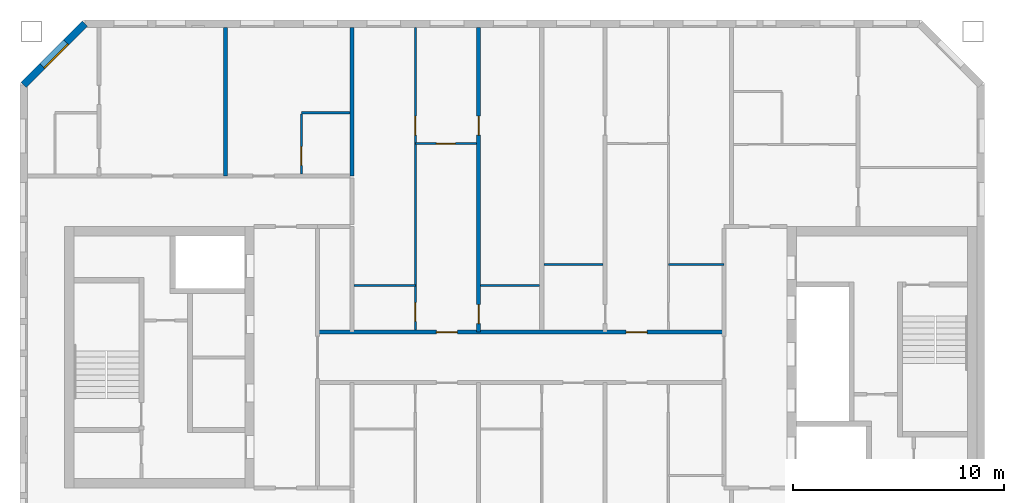
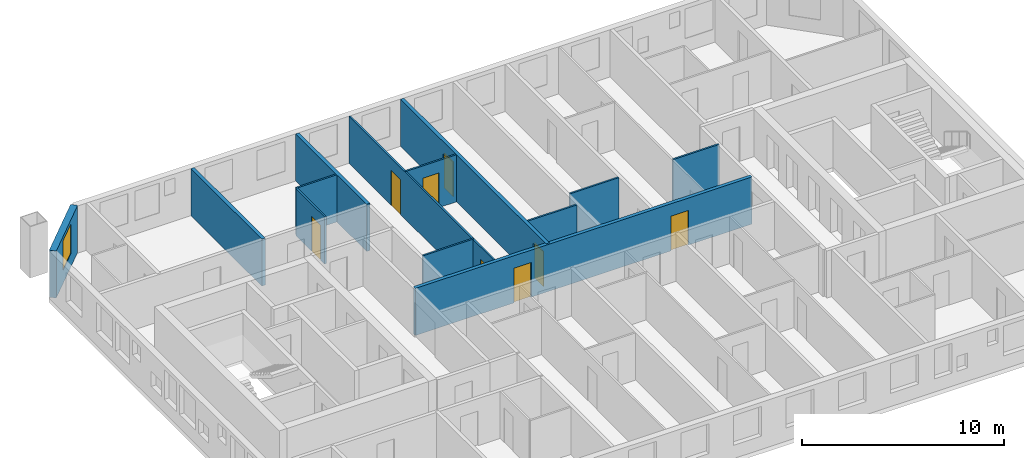
# One storey, part 5 of 16: 13 walls, 8 doors, 1 window, 9 openings.
"""IFC4 building model written with IfcOpenShell, lengths in metres."""

from ifc_helpers import new_model, si_unit, direction, frame, frame_2d, origin, place, context, subcontext, project, spatial, rectangle, extrude, material, layer, layer_set, type_object, element, fill, save


model = new_model("IFC4")

# Units and contexts
model_context = context("Model", 3, precision=1e-05, world=origin(), true_north=direction((0.0, 1.0)))
body_context = subcontext(model_context, "Body", "Model", "MODEL_VIEW")
ifc_project = project(units=[si_unit("LENGTHUNIT", "METRE"), si_unit("AREAUNIT", "SQUARE_METRE"), si_unit("VOLUMEUNIT", "CUBIC_METRE"), si_unit("PLANEANGLEUNIT", "RADIAN"), si_unit("MASSUNIT", "GRAM", prefix="KILO")], contexts=[model_context])

# Site, building, storey
site_placement = place(None, origin())
site = spatial("IfcSite", under=ifc_project, at=site_placement, CompositionType="ELEMENT")
building_placement = place(site_placement, origin())
building = spatial("IfcBuilding", under=site, at=building_placement, Name="Tuart Gate Housing", CompositionType="ELEMENT")
storey_placement = place(building_placement, frame((0.0, 0.0, 178.89990234375)))
storey = spatial("IfcBuildingStorey", under=building, at=storey_placement, Name="L50", CompositionType="ELEMENT", Elevation=178.89990234375)

# Wall, opening, window
ifc_material_1 = material(Name="Brick", Category="masonry")
ifc_layer_1 = layer(ifc_material_1, 0.360107421875)
ifc_layer_set_1 = layer_set([ifc_layer_1], Name="Brick pier and spandrel wall 360")
wall_type_1 = type_object("IfcWallType", Name="Brick pier and spandrel wall 360", PredefinedType="STANDARD", material=ifc_layer_set_1)
wall_1_placement = place(storey_placement, frame((33.32470703125, 85.820068359375, 0.0), z_axis=(0.0, 0.0, 1.0), x_axis=(-0.707106781187, -0.707106781187, 0.0)))
wall_1 = element("IfcWall", 1, at=wall_1_placement, inside=storey, type_object=wall_type_1, Name="External wall A-NW L50", PredefinedType="STANDARD", context=body_context, shape_type="SweptSolid", body=[
    extrude(rectangle(XDim=4.09375, YDim=0.360107421875, at=frame_2d((2.046875, 0.0))), origin(), (0.0, 0.0, 1.0), 2.85009765625),
])
opening_1_placement = place(wall_1_placement, frame((1.2470703125, 0.0, 0.800048828125)))
opening_1 = element("IfcOpeningElement", 2, at=opening_1_placement, cuts=wall_1, Name="Opening W1", PredefinedType="OPENING", context=body_context, shape_type="SweptSolid", body=[
    extrude(rectangle(XDim=1.60009765625, YDim=1.800048828125, at=frame_2d((0.800048828125, 0.89990234375))), frame((0.0, 0.18994140625, 0.0), z_axis=(0.0, -1.0, 0.0), x_axis=(1.0, 0.0, 0.0)), (0.0, 0.0, 1.0), 0.380126953125),
])
ifc_material_2 = material(Name="Aluminium frame with clear glass", Category="aluminium")
window_type = type_object("IfcWindowType", Name="Punched window 1600 x 1800", PartitioningType="SINGLE_PANEL", PredefinedType="WINDOW", material=ifc_material_2)
window_placement = place(opening_1_placement, origin())
window = element("IfcWindow", 3, at=window_placement, inside=storey, type_object=window_type, Name="Window W1", OverallHeight=1.800048828125, OverallWidth=1.60009765625, PartitioningType="SINGLE_PANEL", PredefinedType="WINDOW", context=body_context, shape_type="SweptSolid", body=[
    extrude(rectangle(XDim=1.60009765625, YDim=1.800048828125, at=frame_2d((0.800048828125, 0.89990234375))), frame((0.0, 0.150146484375, 0.0), z_axis=(0.0, -1.0, 0.0), x_axis=(1.0, 0.0, 0.0)), (0.0, 0.0, 1.0), 0.06005859375),
])
fill(opening_1, window)

# Wall, openings, doors
ifc_material_3 = material(Name="Concrete masonry 15 MPa", Category="masonry")
ifc_layer_2 = layer(ifc_material_3, 0.199951171875)
ifc_layer_set_2 = layer_set([ifc_layer_2], Name="Corridor wall masonry 200")
wall_type_2 = type_object("IfcWallType", Name="Corridor wall masonry 200", PredefinedType="PARTITIONING", material=ifc_layer_set_2)
wall_2_placement = place(storey_placement, frame((44.360107421875, 71.199951171875, 0.0), z_axis=(0.0, 0.0, 1.0), x_axis=(1.0, 0.0, 0.0)))
wall_2 = element("IfcWall", 4, at=wall_2_placement, inside=storey, type_object=wall_type_2, Name="Corridor wall masonry 200", PredefinedType="PARTITIONING", context=body_context, shape_type="SweptSolid", body=[
    extrude(rectangle(XDim=19.27978515625, YDim=0.199951171875, at=frame_2d((9.639892578125, 0.0))), origin(), (0.0, 0.0, 1.0), 2.85009765625),
])
opening_2_placement = place(wall_2_placement, frame((14.639892578125, 0.0, 0.0)))
opening_2 = element("IfcOpeningElement", 5, at=opening_2_placement, cuts=wall_2, Name="Opening D1756", PredefinedType="OPENING", context=body_context, shape_type="SweptSolid", body=[
    extrude(rectangle(XDim=1.0, YDim=2.10009765625, at=frame_2d((0.5, 1.050048828125))), frame((0.0, 0.10986328125, 0.0), z_axis=(0.0, -1.0, 0.0), x_axis=(1.0, 0.0, 0.0)), (0.0, 0.0, 1.0), 0.219970703125),
])
opening_3_placement = place(wall_2_placement, frame((5.639892578125, 0.0, 0.0)))
opening_3 = element("IfcOpeningElement", 6, at=opening_3_placement, cuts=wall_2, Name="Opening D1757", PredefinedType="OPENING", context=body_context, shape_type="SweptSolid", body=[
    extrude(rectangle(XDim=1.0, YDim=2.10009765625, at=frame_2d((0.5, 1.050048828125))), frame((0.0, 0.10986328125, 0.0), z_axis=(0.0, -1.0, 0.0), x_axis=(1.0, 0.0, 0.0)), (0.0, 0.0, 1.0), 0.219970703125),
])
ifc_material_4 = material(Name="Timber door leaf in steel frame", Category="steel")
door_type_1 = type_object("IfcDoorType", Name="Flat entrance door 1000", OperationType="SINGLE_SWING_LEFT", PredefinedType="DOOR", material=ifc_material_4)
door_1_placement = place(opening_2_placement, origin())
door_1 = element("IfcDoor", 7, at=door_1_placement, inside=storey, type_object=door_type_1, Name="Flat entrance door", OperationType="SINGLE_SWING_LEFT", OverallHeight=2.10009765625, OverallWidth=1.0, PredefinedType="DOOR", context=body_context, shape_type="SweptSolid", body=[
    extrude(rectangle(XDim=1.0, YDim=2.10009765625, at=frame_2d((0.5, 1.050048828125))), frame((0.0, 0.02490234375, 0.0), z_axis=(0.0, -1.0, 0.0), x_axis=(1.0, 0.0, 0.0)), (0.0, 0.0, 1.0), 0.050048828125),
])
fill(opening_2, door_1)
door_2_placement = place(opening_3_placement, origin())
door_2 = element("IfcDoor", 8, at=door_2_placement, inside=storey, type_object=door_type_1, Name="Flat entrance door", OperationType="SINGLE_SWING_LEFT", OverallHeight=2.10009765625, OverallWidth=1.0, PredefinedType="DOOR", context=body_context, shape_type="SweptSolid", body=[
    extrude(rectangle(XDim=1.0, YDim=2.10009765625, at=frame_2d((0.5, 1.050048828125))), frame((0.0, 0.02490234375, 0.0), z_axis=(0.0, -1.0, 0.0), x_axis=(1.0, 0.0, 0.0)), (0.0, 0.0, 1.0), 0.050048828125),
])
fill(opening_3, door_2)

# Walls
ifc_material_5 = material(Name="Gypsum board on steel studs", Category="steel")
ifc_layer_3 = layer(ifc_material_5, 0.10009765625)
ifc_layer_set_3 = layer_set([ifc_layer_3], Name="Partition 100")
wall_type_3 = type_object("IfcWallType", Name="Partition 100", PredefinedType="PARTITIONING", material=ifc_layer_set_3)
wall_3_placement = place(storey_placement, frame((46.10009765625, 73.39990234375, 0.0), z_axis=(0.0, 0.0, 1.0), x_axis=(1.0, 0.0, 0.0)))
element("IfcWall", 9, at=wall_3_placement, inside=storey, type_object=wall_type_3, Name="Partition 100", PredefinedType="PARTITIONING", context=body_context, shape_type="SweptSolid", body=[
    extrude(rectangle(XDim=2.89990234375, YDim=0.10009765625, at=frame_2d((1.449951171875, 0.0))), origin(), (0.0, 0.0, 1.0), 2.85009765625),
])
for number, where, z_axis, x_axis, name in (
    (10, (52.10009765625, 73.39990234375, 0.0), (0.0, 0.0, 1.0), (1.0, 0.0, 0.0), "Partition 100"),
    (11, (55.10009765625, 74.39990234375, 0.0), (0.0, 0.0, 1.0), (1.0, 0.0, 0.0), "Partition 100"),
):
    element("IfcWall", number, at=place(storey_placement, frame(where, z_axis=z_axis, x_axis=x_axis)), inside=storey, type_object=wall_type_3, Name=name, PredefinedType="PARTITIONING", context=body_context, shape_type="SweptSolid", body=[
        extrude(rectangle(XDim=2.7998046875, YDim=0.10009765625, at=frame_2d((1.39990234375, 0.0))), origin(), (0.0, 0.0, 1.0), 2.85009765625),
    ])
wall_4_placement = place(storey_placement, frame((61.0, 74.39990234375, 0.0), z_axis=(0.0, 0.0, 1.0), x_axis=(1.0, 0.0, 0.0)))
element("IfcWall", 12, at=wall_4_placement, inside=storey, type_object=wall_type_3, Name="Partition 100", PredefinedType="PARTITIONING", context=body_context, shape_type="SweptSolid", body=[
    extrude(rectangle(XDim=2.639892578125, YDim=0.10009765625, at=frame_2d((1.31982421875, 0.0))), origin(), (0.0, 0.0, 1.0), 2.85009765625),
])

# Wall, opening, door
wall_5_placement = place(storey_placement, frame((49.0, 80.139892578125, 0.0), z_axis=(0.0, 0.0, 1.0), x_axis=(1.0, 0.0, 0.0)))
wall_5 = element("IfcWall", 13, at=wall_5_placement, inside=storey, type_object=wall_type_3, Name="Partition 100", PredefinedType="PARTITIONING", context=body_context, shape_type="SweptSolid", body=[
    extrude(rectangle(XDim=2.89990234375, YDim=0.10009765625, at=frame_2d((1.449951171875, 0.0))), origin(), (0.0, 0.0, 1.0), 2.85009765625),
])
opening_4_placement = place(wall_5_placement, frame((1.0, 0.0, 0.0)))
opening_4 = element("IfcOpeningElement", 14, at=opening_4_placement, cuts=wall_5, Name="Opening D1737", PredefinedType="OPENING", context=body_context, shape_type="SweptSolid", body=[
    extrude(rectangle(XDim=0.89990234375, YDim=2.10009765625, at=frame_2d((0.449951171875, 1.050048828125))), frame((0.0, 0.06005859375, 0.0), z_axis=(0.0, -1.0, 0.0), x_axis=(1.0, 0.0, 0.0)), (0.0, 0.0, 1.0), 0.1201171875),
])
ifc_material_6 = material(Name="Timber door leaf in steel frame", Category="steel")
door_type_2 = type_object("IfcDoorType", Name="Internal door 900 RH", OperationType="SINGLE_SWING_RIGHT", PredefinedType="DOOR", material=ifc_material_6)
door_3_placement = place(opening_4_placement, frame((0.89990234375, 0.0, 0.0), z_axis=(0.0, 0.0, 1.0), x_axis=(-1.0, 0.0, 0.0)))
door_3 = element("IfcDoor", 15, at=door_3_placement, inside=storey, type_object=door_type_2, Name="Internal door", OperationType="SINGLE_SWING_RIGHT", OverallHeight=2.10009765625, OverallWidth=0.89990234375, PredefinedType="DOOR", context=body_context, shape_type="SweptSolid", body=[
    extrude(rectangle(XDim=0.89990234375, YDim=2.10009765625, at=frame_2d((0.449951171875, 1.050048828125))), frame((0.0, 0.025146484375, 0.0), z_axis=(0.0, -1.0, 0.0), x_axis=(1.0, 0.0, 0.0)), (0.0, 0.0, 1.0), 0.050048828125),
])
fill(opening_4, door_3)

# Wall
wall_6_placement = place(storey_placement, frame((43.60009765625, 81.60009765625, 0.0), z_axis=(0.0, 0.0, 1.0), x_axis=(1.0, 0.0, 0.0)))
element("IfcWall", 16, at=wall_6_placement, inside=storey, type_object=wall_type_3, Name="Partition 100", PredefinedType="PARTITIONING", context=body_context, shape_type="SweptSolid", body=[
    extrude(rectangle(XDim=2.2998046875, YDim=0.10009765625, at=frame_2d((1.14990234375, 0.0))), origin(), (0.0, 0.0, 1.0), 2.85009765625),
])

# Wall, opening, door
wall_7_placement = place(storey_placement, frame((43.60009765625, 78.699951171875, 0.0), z_axis=(0.0, 0.0, 1.0), x_axis=(0.0, 1.0, 0.0)))
wall_7 = element("IfcWall", 17, at=wall_7_placement, inside=storey, type_object=wall_type_3, Name="Partition 100", PredefinedType="PARTITIONING", context=body_context, shape_type="SweptSolid", body=[
    extrude(rectangle(XDim=2.85009765625, YDim=0.10009765625, at=frame_2d((1.425048828125, 0.0))), origin(), (0.0, 0.0, 1.0), 2.85009765625),
])
opening_5_placement = place(wall_7_placement, frame((0.39990234375, 0.0, 0.0)))
opening_5 = element("IfcOpeningElement", 18, at=opening_5_placement, cuts=wall_7, Name="Opening D1739", PredefinedType="OPENING", context=body_context, shape_type="SweptSolid", body=[
    extrude(rectangle(XDim=0.89990234375, YDim=2.10009765625, at=frame_2d((0.449951171875, 1.050048828125))), frame((0.0, 0.06005859375, 0.0), z_axis=(0.0, -1.0, 0.0), x_axis=(1.0, 0.0, 0.0)), (0.0, 0.0, 1.0), 0.1201171875),
])
ifc_material_7 = material(Name="Timber door leaf in steel frame", Category="steel")
door_type_3 = type_object("IfcDoorType", Name="Bathroom door 900 RH", OperationType="SINGLE_SWING_RIGHT", PredefinedType="DOOR", material=ifc_material_7)
door_4_placement = place(opening_5_placement, frame((0.89990234375, 0.0, 0.0), z_axis=(0.0, 0.0, 1.0), x_axis=(-1.0, 0.0, 0.0)))
door_4 = element("IfcDoor", 19, at=door_4_placement, inside=storey, type_object=door_type_3, Name="Bathroom door", OperationType="SINGLE_SWING_RIGHT", OverallHeight=2.10009765625, OverallWidth=0.89990234375, PredefinedType="DOOR", context=body_context, shape_type="SweptSolid", body=[
    extrude(rectangle(XDim=0.89990234375, YDim=2.10009765625, at=frame_2d((0.449951171875, 1.050048828125))), frame((0.0, 0.025146484375, 0.0), z_axis=(0.0, -1.0, 0.0), x_axis=(1.0, 0.0, 0.0)), (0.0, 0.0, 1.0), 0.050048828125),
])
fill(opening_5, door_4)

# Wall, openings, doors
wall_8_placement = place(storey_placement, frame((49.0, 71.300048828125, 0.0), z_axis=(0.0, 0.0, 1.0), x_axis=(0.0, 1.0, 0.0)))
wall_8 = element("IfcWall", 20, at=wall_8_placement, inside=storey, type_object=wall_type_3, Name="Partition 100", PredefinedType="PARTITIONING", context=body_context, shape_type="SweptSolid", body=[
    extrude(rectangle(XDim=14.33984375, YDim=0.10009765625, at=frame_2d((7.169921875, 0.0))), origin(), (0.0, 0.0, 1.0), 2.85009765625),
])
opening_6_placement = place(wall_8_placement, frame((9.239990234375, 0.0, 0.0)))
opening_6 = element("IfcOpeningElement", 21, at=opening_6_placement, cuts=wall_8, Name="Opening D1745", PredefinedType="OPENING", context=body_context, shape_type="SweptSolid", body=[
    extrude(rectangle(XDim=0.89990234375, YDim=2.10009765625, at=frame_2d((0.449951171875, 1.050048828125))), frame((0.0, 0.06005859375, 0.0), z_axis=(0.0, -1.0, 0.0), x_axis=(1.0, 0.0, 0.0)), (0.0, 0.0, 1.0), 0.1201171875),
])
opening_7_placement = place(wall_8_placement, frame((0.39990234375, 0.0, 0.0)))
opening_7 = element("IfcOpeningElement", 22, at=opening_7_placement, cuts=wall_8, Name="Opening D1744", PredefinedType="OPENING", context=body_context, shape_type="SweptSolid", body=[
    extrude(rectangle(XDim=0.89990234375, YDim=2.10009765625, at=frame_2d((0.449951171875, 1.050048828125))), frame((0.0, 0.06005859375, 0.0), z_axis=(0.0, -1.0, 0.0), x_axis=(1.0, 0.0, 0.0)), (0.0, 0.0, 1.0), 0.1201171875),
])
ifc_material_8 = material(Name="Timber door leaf in steel frame", Category="steel")
door_type_4 = type_object("IfcDoorType", Name="Bathroom door 900", OperationType="SINGLE_SWING_LEFT", PredefinedType="DOOR", material=ifc_material_8)
door_5_placement = place(opening_7_placement, origin())
door_5 = element("IfcDoor", 23, at=door_5_placement, inside=storey, type_object=door_type_4, Name="Bathroom door", OperationType="SINGLE_SWING_LEFT", OverallHeight=2.10009765625, OverallWidth=0.89990234375, PredefinedType="DOOR", context=body_context, shape_type="SweptSolid", body=[
    extrude(rectangle(XDim=0.89990234375, YDim=2.10009765625, at=frame_2d((0.449951171875, 1.050048828125))), frame((0.0, 0.02490234375, 0.0), z_axis=(0.0, -1.0, 0.0), x_axis=(1.0, 0.0, 0.0)), (0.0, 0.0, 1.0), 0.050048828125),
])
fill(opening_7, door_5)
door_6_placement = place(opening_6_placement, origin())
door_6 = element("IfcDoor", 24, at=door_6_placement, inside=storey, type_object=door_type_2, Name="Internal door", OperationType="SINGLE_SWING_RIGHT", OverallHeight=2.10009765625, OverallWidth=0.89990234375, PredefinedType="DOOR", context=body_context, shape_type="SweptSolid", body=[
    extrude(rectangle(XDim=0.89990234375, YDim=2.10009765625, at=frame_2d((0.449951171875, 1.050048828125))), frame((0.0, 0.02490234375, 0.0), z_axis=(0.0, -1.0, 0.0), x_axis=(1.0, 0.0, 0.0)), (0.0, 0.0, 1.0), 0.050048828125),
])
fill(opening_6, door_6)

# Walls
ifc_material_9 = material(Name="Concrete C40", Category="concrete")
ifc_layer_4 = layer(ifc_material_9, 0.199951171875)
ifc_layer_set_4 = layer_set([ifc_layer_4], Name="Party wall concrete C40 200")
wall_type_4 = type_object("IfcWallType", Name="Party wall concrete C40 200", PredefinedType="SOLIDWALL", material=ifc_layer_set_4)
for number, where, z_axis, x_axis, name in (
    (25, (40.0, 78.60009765625, 0.0), (0.0, 0.0, 1.0), (0.0, 1.0, 0.0), "Party wall concrete C40 200"),
    (26, (46.0, 78.60009765625, 0.0), (0.0, 0.0, 1.0), (0.0, 1.0, 0.0), "Party wall concrete C40 200"),
):
    element("IfcWall", number, at=place(storey_placement, frame(where, z_axis=z_axis, x_axis=x_axis)), inside=storey, type_object=wall_type_4, Name=name, PredefinedType="SOLIDWALL", context=body_context, shape_type="SweptSolid", body=[
        extrude(rectangle(XDim=7.039794921875, YDim=0.199951171875, at=frame_2d((3.52001953125, 0.0))), origin(), (0.0, 0.0, 1.0), 2.85009765625),
    ])

# Wall, openings, doors
wall_9_placement = place(storey_placement, frame((52.0, 71.199951171875, 0.0), z_axis=(0.0, 0.0, 1.0), x_axis=(0.0, 1.0, 0.0)))
wall_9 = element("IfcWall", 27, at=wall_9_placement, inside=storey, type_object=wall_type_4, Name="Party wall concrete C40 200", PredefinedType="SOLIDWALL", context=body_context, shape_type="SweptSolid", body=[
    extrude(rectangle(XDim=14.43994140625, YDim=0.199951171875, at=frame_2d((7.219970703125, 0.0))), origin(), (0.0, 0.0, 1.0), 2.85009765625),
])
opening_8_placement = place(wall_9_placement, frame((9.340087890625, 0.0, 0.0)))
opening_8 = element("IfcOpeningElement", 28, at=opening_8_placement, cuts=wall_9, Name="Opening D1749", PredefinedType="OPENING", context=body_context, shape_type="SweptSolid", body=[
    extrude(rectangle(XDim=0.89990234375, YDim=2.10009765625, at=frame_2d((0.449951171875, 1.050048828125))), frame((0.0, 0.10986328125, 0.0), z_axis=(0.0, -1.0, 0.0), x_axis=(1.0, 0.0, 0.0)), (0.0, 0.0, 1.0), 0.219970703125),
])
opening_9_placement = place(wall_9_placement, frame((0.39990234375, 0.0, 0.0)))
opening_9 = element("IfcOpeningElement", 29, at=opening_9_placement, cuts=wall_9, Name="Opening D1748", PredefinedType="OPENING", context=body_context, shape_type="SweptSolid", body=[
    extrude(rectangle(XDim=0.89990234375, YDim=2.10009765625, at=frame_2d((0.449951171875, 1.050048828125))), frame((0.0, 0.10986328125, 0.0), z_axis=(0.0, -1.0, 0.0), x_axis=(1.0, 0.0, 0.0)), (0.0, 0.0, 1.0), 0.219970703125),
])
door_7_placement = place(opening_9_placement, frame((0.89990234375, 0.0, 0.0), z_axis=(0.0, 0.0, 1.0), x_axis=(-1.0, 0.0, 0.0)))
door_7 = element("IfcDoor", 30, at=door_7_placement, inside=storey, type_object=door_type_3, Name="Bathroom door", OperationType="SINGLE_SWING_RIGHT", OverallHeight=2.10009765625, OverallWidth=0.89990234375, PredefinedType="DOOR", context=body_context, shape_type="SweptSolid", body=[
    extrude(rectangle(XDim=0.89990234375, YDim=2.10009765625, at=frame_2d((0.449951171875, 1.050048828125))), frame((0.0, 0.025146484375, 0.0), z_axis=(0.0, -1.0, 0.0), x_axis=(1.0, 0.0, 0.0)), (0.0, 0.0, 1.0), 0.050048828125),
])
fill(opening_9, door_7)
ifc_material_10 = material(Name="Timber door leaf in steel frame", Category="steel")
door_type_5 = type_object("IfcDoorType", Name="Internal door 900", OperationType="SINGLE_SWING_LEFT", PredefinedType="DOOR", material=ifc_material_10)
door_8_placement = place(opening_8_placement, frame((0.89990234375, 0.0, 0.0), z_axis=(0.0, 0.0, 1.0), x_axis=(-1.0, 0.0, 0.0)))
door_8 = element("IfcDoor", 31, at=door_8_placement, inside=storey, type_object=door_type_5, Name="Internal door", OperationType="SINGLE_SWING_LEFT", OverallHeight=2.10009765625, OverallWidth=0.89990234375, PredefinedType="DOOR", context=body_context, shape_type="SweptSolid", body=[
    extrude(rectangle(XDim=0.89990234375, YDim=2.10009765625, at=frame_2d((0.449951171875, 1.050048828125))), frame((0.0, 0.025146484375, 0.0), z_axis=(0.0, -1.0, 0.0), x_axis=(1.0, 0.0, 0.0)), (0.0, 0.0, 1.0), 0.050048828125),
])
fill(opening_8, door_8)

save(model, "model.ifc")
